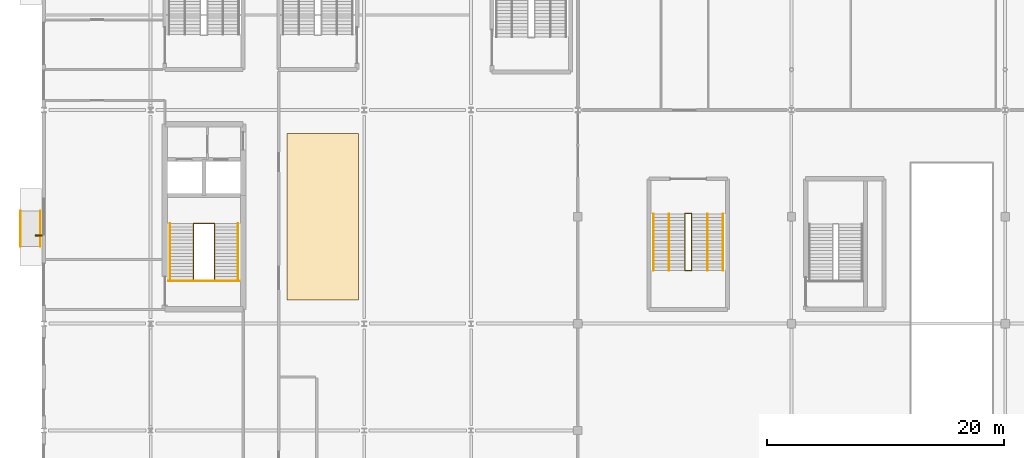
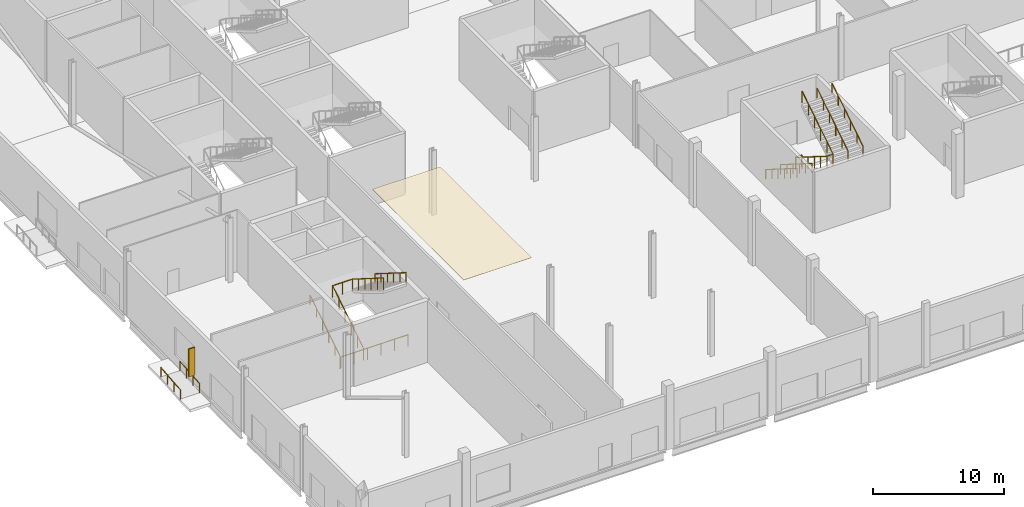
# One storey, part 68 of 84: 12 railings, 1 covering, 1 shading device.
"""IFC4 building model written with IfcOpenShell, lengths in metres."""

from ifc_helpers import new_model, si_unit, direction, frame, origin, origin_2d, place, context, subcontext, project, spatial, polyline, rectangle, circle, outline, extrude, material, layer, layer_set, type_object, element, save


model = new_model("IFC4")

# Units and contexts
model_context = context("Model", 3, precision=1e-05, world=origin(), true_north=direction((0.0, 1.0)))
body_context = subcontext(model_context, "Body", "Model", "MODEL_VIEW")
ifc_project = project(units=[si_unit("LENGTHUNIT", "METRE"), si_unit("AREAUNIT", "SQUARE_METRE"), si_unit("VOLUMEUNIT", "CUBIC_METRE"), si_unit("PLANEANGLEUNIT", "RADIAN"), si_unit("MASSUNIT", "GRAM", prefix="KILO")], contexts=[model_context])

# Site, building, storey
site_placement = place(None, origin())
site = spatial("IfcSite", under=ifc_project, at=site_placement, CompositionType="ELEMENT")
building_placement = place(site_placement, origin())
building = spatial("IfcBuilding", under=site, at=building_placement, Name="Kisiwana Market Hall", CompositionType="ELEMENT")
storey_placement = place(building_placement, origin())
storey = spatial("IfcBuildingStorey", under=building, at=storey_placement, Name="L00", CompositionType="ELEMENT", Elevation=0.0)

# Covering
ifc_material_1 = material(Name="Mineral-fibre acoustic ceiling board")
ifc_layer = layer(ifc_material_1, 0.02490234375)
ifc_layer_set = layer_set([ifc_layer], Name="COV-CEIL-AC")
covering_type = type_object("IfcCoveringType", Name="COV-CEIL-AC", PredefinedType="CEILING", material=ifc_layer_set)
covering_placement = place(storey_placement, frame((0.0, 0.0, 5.72509765625)))
element("IfcCovering", 1, at=covering_placement, inside=storey, type_object=covering_type, Name="Acoustic ceiling grid L00-004", PredefinedType="CEILING", context=body_context, shape_type="SweptSolid", body=[
    extrude(outline(polyline([(20.5, 20.0), (26.5, 20.0), (26.5, 34.0), (20.5, 34.0), (20.5, 20.0)])), origin(), (0.0, 0.0, 1.0), 0.02490234375),
])

# Railings
ifc_material_2 = material(Name="Steel S275", Category="steel")
railing_type_1 = type_object("IfcRailingType", Name="RL-GUARD-1100", PredefinedType="GUARDRAIL", material=ifc_material_2)
railing_1_placement = place(storey_placement, frame((12.625, 21.674560546875, 0.0)))
element("IfcRailing", 2, at=railing_1_placement, inside=storey, type_object=railing_type_1, Name="Stair ST-W2-L00 inner-well guardrail (RL-147)", PredefinedType="GUARDRAIL", context=body_context, shape_type="SweptSolid", body=[
    extrude(circle(Radius=0.02392578125, at=origin_2d()), frame((0.0, 0.0, 1.076171875), z_axis=(0.0, 0.845995810448, 0.533189542944), x_axis=(-1.0, 0.0, 0.0)), (0.0, 0.0, 1.0), 5.62646484375),
    extrude(circle(Radius=0.02392578125, at=origin_2d()), frame((0.0, 4.760009765625, 4.076171875), z_axis=(1.0, 0.0, 0.0), x_axis=(0.0, 1.0, 0.0)), (0.0, 0.0, 1.0), 1.75),
    extrude(circle(Radius=0.02392578125, at=origin_2d()), frame((1.75, 4.760009765625, 4.076171875), z_axis=(0.0, -0.845995810448, 0.533189542944), x_axis=(1.0, 0.0, 0.0)), (0.0, 0.0, 1.0), 5.62646484375),
    extrude(circle(Radius=0.02099609375, at=origin_2d()), origin(), (0.0, 0.0, 1.0), 1.052001953125),
    extrude(circle(Radius=0.02099609375, at=origin_2d()), frame((0.0, 0.951904296875, 0.60009765625)), (0.0, 0.0, 1.0), 1.052001953125),
    extrude(circle(Radius=0.02099609375, at=origin_2d()), frame((0.0, 1.904052734375, 1.199951171875)), (0.0, 0.0, 1.0), 1.052001953125),
    extrude(circle(Radius=0.02099609375, at=origin_2d()), frame((0.0, 2.85595703125, 1.800048828125)), (0.0, 0.0, 1.0), 1.052001953125),
    extrude(circle(Radius=0.02099609375, at=origin_2d()), frame((0.0, 3.80810546875, 2.39990234375)), (0.0, 0.0, 1.0), 1.052001953125),
    extrude(circle(Radius=0.02099609375, at=origin_2d()), frame((0.0, 4.760009765625, 3.0)), (0.0, 0.0, 1.0), 1.052001953125),
    extrude(circle(Radius=0.02099609375, at=origin_2d()), frame((0.875, 4.760009765625, 3.0)), (0.0, 0.0, 1.0), 1.052001953125),
    extrude(circle(Radius=0.02099609375, at=origin_2d()), frame((1.75, 4.760009765625, 3.0)), (0.0, 0.0, 1.0), 1.052001953125),
    extrude(circle(Radius=0.02099609375, at=origin_2d()), frame((1.75, 3.80810546875, 3.60009765625)), (0.0, 0.0, 1.0), 1.052001953125),
    extrude(circle(Radius=0.02099609375, at=origin_2d()), frame((1.75, 2.85595703125, 4.199951171875)), (0.0, 0.0, 1.0), 1.052001953125),
    extrude(circle(Radius=0.02099609375, at=origin_2d()), frame((1.75, 1.904052734375, 4.800048828125)), (0.0, 0.0, 1.0), 1.052001953125),
    extrude(circle(Radius=0.02099609375, at=origin_2d()), frame((1.75, 0.951904296875, 5.39990234375)), (0.0, 0.0, 1.0), 1.052001953125),
    extrude(circle(Radius=0.02099609375, at=origin_2d()), frame((1.75, 0.0, 6.0)), (0.0, 0.0, 1.0), 1.052001953125),
])
railing_2_placement = place(storey_placement, frame((10.5048828125, 21.594482421875, 0.0)))
element("IfcRailing", 3, at=railing_2_placement, inside=storey, type_object=railing_type_1, Name="Stair ST-W2-L00 landing edge guardrail (RL-150)", PredefinedType="GUARDRAIL", context=body_context, shape_type="SweptSolid", body=[
    extrude(circle(Radius=0.02392578125, at=origin_2d()), frame((0.0, 0.0, 1.076171875), z_axis=(1.0, 0.0, 0.0), x_axis=(0.0, 1.0, 0.0)), (0.0, 0.0, 1.0), 5.990234375),
    extrude(circle(Radius=0.02099609375, at=origin_2d()), origin(), (0.0, 0.0, 1.0), 1.052001953125),
    extrude(circle(Radius=0.02099609375, at=origin_2d()), frame((1.197998046875, 0.0, 0.0)), (0.0, 0.0, 1.0), 1.052001953125),
    extrude(circle(Radius=0.02099609375, at=origin_2d()), frame((2.39599609375, 0.0, 0.0)), (0.0, 0.0, 1.0), 1.052001953125),
    extrude(circle(Radius=0.02099609375, at=origin_2d()), frame((3.59423828125, 0.0, 0.0)), (0.0, 0.0, 1.0), 1.052001953125),
    extrude(circle(Radius=0.02099609375, at=origin_2d()), frame((4.792236328125, 0.0, 0.0)), (0.0, 0.0, 1.0), 1.052001953125),
    extrude(circle(Radius=0.02099609375, at=origin_2d()), frame((5.990234375, 0.0, 0.0)), (0.0, 0.0, 1.0), 1.052001953125),
])
railing_3_placement = place(storey_placement, frame((54.02001953125, 27.239990234375, 0.0)))
element("IfcRailing", 4, at=railing_3_placement, inside=storey, type_object=railing_type_1, Name="Stair ST-S3-L00 inner-well guardrail (RL-263)", PredefinedType="GUARDRAIL", context=body_context, shape_type="SweptSolid", body=[
    extrude(circle(Radius=0.02392578125, at=origin_2d()), frame((0.0, 0.0, 1.076171875), z_axis=(0.0, -0.845995810448, 0.533189542944), x_axis=(1.0, 0.0, 0.0)), (0.0, 0.0, 1.0), 5.62646484375),
    extrude(circle(Radius=0.02392578125, at=origin_2d()), frame((0.0, -4.760009765625, 4.076171875), z_axis=(1.0, 0.0, 0.0), x_axis=(0.0, 1.0, 0.0)), (0.0, 0.0, 1.0), 0.56005859375),
    extrude(circle(Radius=0.02392578125, at=origin_2d()), frame((0.56005859375, -4.760009765625, 4.076171875), z_axis=(0.0, 0.845995810448, 0.533189542944), x_axis=(-1.0, 0.0, 0.0)), (0.0, 0.0, 1.0), 5.62646484375),
    extrude(circle(Radius=0.02099609375, at=origin_2d()), origin(), (0.0, 0.0, 1.0), 1.052001953125),
    extrude(circle(Radius=0.02099609375, at=origin_2d()), frame((0.0, -0.951904296875, 0.60009765625)), (0.0, 0.0, 1.0), 1.052001953125),
    extrude(circle(Radius=0.02099609375, at=origin_2d()), frame((0.0, -1.904052734375, 1.199951171875)), (0.0, 0.0, 1.0), 1.052001953125),
    extrude(circle(Radius=0.02099609375, at=origin_2d()), frame((0.0, -2.85595703125, 1.800048828125)), (0.0, 0.0, 1.0), 1.052001953125),
    extrude(circle(Radius=0.02099609375, at=origin_2d()), frame((0.0, -3.80810546875, 2.39990234375)), (0.0, 0.0, 1.0), 1.052001953125),
    extrude(circle(Radius=0.02099609375, at=origin_2d()), frame((0.0, -4.760009765625, 3.0)), (0.0, 0.0, 1.0), 1.052001953125),
    extrude(circle(Radius=0.02099609375, at=origin_2d()), frame((0.56005859375, -4.760009765625, 3.0)), (0.0, 0.0, 1.0), 1.052001953125),
    extrude(circle(Radius=0.02099609375, at=origin_2d()), frame((0.56005859375, -3.80810546875, 3.60009765625)), (0.0, 0.0, 1.0), 1.052001953125),
    extrude(circle(Radius=0.02099609375, at=origin_2d()), frame((0.56005859375, -2.85595703125, 4.199951171875)), (0.0, 0.0, 1.0), 1.052001953125),
    extrude(circle(Radius=0.02099609375, at=origin_2d()), frame((0.56005859375, -1.904052734375, 4.800048828125)), (0.0, 0.0, 1.0), 1.052001953125),
    extrude(circle(Radius=0.02099609375, at=origin_2d()), frame((0.56005859375, -0.951904296875, 5.39990234375)), (0.0, 0.0, 1.0), 1.052001953125),
    extrude(circle(Radius=0.02099609375, at=origin_2d()), frame((0.56005859375, 0.0, 6.0)), (0.0, 0.0, 1.0), 1.052001953125),
])
railing_4_placement = place(storey_placement, frame((54.02001953125, 27.2900390625, 0.0)))
element("IfcRailing", 5, at=railing_4_placement, inside=storey, type_object=railing_type_1, Name="Stair ST-S3-L00 landing edge guardrail (RL-268)", PredefinedType="GUARDRAIL", context=body_context, shape_type="SweptSolid", body=[
    extrude(circle(Radius=0.02392578125, at=origin_2d()), frame((0.0, 0.0, 1.076171875), z_axis=(1.0, 0.0, 0.0), x_axis=(0.0, 1.0, 0.0)), (0.0, 0.0, 1.0), 0.56005859375),
    extrude(circle(Radius=0.02099609375, at=origin_2d()), origin(), (0.0, 0.0, 1.0), 1.052001953125),
    extrude(circle(Radius=0.02099609375, at=origin_2d()), frame((0.56005859375, 0.0, 0.0)), (0.0, 0.0, 1.0), 1.052001953125),
])
ifc_material_3 = material(Name="Steel S275", Category="steel")
railing_type_2 = type_object("IfcRailingType", Name="RL-HAND-900", PredefinedType="HANDRAIL", material=ifc_material_3)
for number, where, name in (
    (6, (-1.93994140625, 24.5, -0.25), "West Market South Ramp handrail L 900 RL-001"),
    (7, (-0.260009765625, 24.5, -0.25), "West Market South Ramp handrail R 900 RL-002"),
):
    element("IfcRailing", number, at=place(storey_placement, frame(where)), inside=storey, type_object=railing_type_2, Name=name, PredefinedType="HANDRAIL", context=body_context, shape_type="SweptSolid", body=[
        extrude(circle(Radius=0.02392578125, at=origin_2d()), frame((0.0, 0.0, 0.8759765625), z_axis=(0.0, 0.996545758245, 0.083045479854), x_axis=(-1.0, 0.0, 0.0)), (0.0, 0.0, 1.0), 3.010498046875),
        extrude(circle(Radius=0.02099609375, at=origin_2d()), origin(), (0.0, 0.0, 1.0), 0.851806640625),
        extrude(circle(Radius=0.02099609375, at=origin_2d()), frame((0.0, 1.0, 0.083251953125)), (0.0, 0.0, 1.0), 0.851806640625),
        extrude(circle(Radius=0.02099609375, at=origin_2d()), frame((0.0, 2.0, 0.166748046875)), (0.0, 0.0, 1.0), 0.851806640625),
        extrude(circle(Radius=0.02099609375, at=origin_2d()), frame((0.0, 3.0, 0.25)), (0.0, 0.0, 1.0), 0.851806640625),
    ])
railing_5_placement = place(storey_placement, frame((10.635009765625, 21.674560546875, 0.0)))
element("IfcRailing", 8, at=railing_5_placement, inside=storey, type_object=railing_type_2, Name="Stair ST-W2-L00 flight 1 handrail (RL-148)", PredefinedType="HANDRAIL", context=body_context, shape_type="SweptSolid", body=[
    extrude(circle(Radius=0.02392578125, at=origin_2d()), frame((0.0, 0.0, 0.8759765625), z_axis=(0.0, 0.845995810448, 0.533189542944), x_axis=(-1.0, 0.0, 0.0)), (0.0, 0.0, 1.0), 5.62646484375),
    extrude(circle(Radius=0.02099609375, at=origin_2d()), origin(), (0.0, 0.0, 1.0), 0.851806640625),
    extrude(circle(Radius=0.02099609375, at=origin_2d()), frame((0.0, 0.951904296875, 0.60009765625)), (0.0, 0.0, 1.0), 0.851806640625),
    extrude(circle(Radius=0.02099609375, at=origin_2d()), frame((0.0, 1.904052734375, 1.199951171875)), (0.0, 0.0, 1.0), 0.851806640625),
    extrude(circle(Radius=0.02099609375, at=origin_2d()), frame((0.0, 2.85595703125, 1.800048828125)), (0.0, 0.0, 1.0), 0.851806640625),
    extrude(circle(Radius=0.02099609375, at=origin_2d()), frame((0.0, 3.80810546875, 2.39990234375)), (0.0, 0.0, 1.0), 0.851806640625),
    extrude(circle(Radius=0.02099609375, at=origin_2d()), frame((0.0, 4.760009765625, 3.0)), (0.0, 0.0, 1.0), 0.851806640625),
])
for number, where, name in (
    (9, (16.364990234375, 26.4345703125, 3.0), "Stair ST-W2-L00 flight 2 handrail (RL-149)"),
    (10, (51.3701171875, 27.239990234375, 0.0), "Stair ST-S3-L00 flight 1 handrail (RL-264)"),
):
    element("IfcRailing", number, at=place(storey_placement, frame(where)), inside=storey, type_object=railing_type_2, Name=name, PredefinedType="HANDRAIL", context=body_context, shape_type="SweptSolid", body=[
        extrude(circle(Radius=0.02392578125, at=origin_2d()), frame((0.0, 0.0, 0.8759765625), z_axis=(0.0, -0.845995810448, 0.533189542944), x_axis=(1.0, 0.0, 0.0)), (0.0, 0.0, 1.0), 5.62646484375),
        extrude(circle(Radius=0.02099609375, at=origin_2d()), origin(), (0.0, 0.0, 1.0), 0.851806640625),
        extrude(circle(Radius=0.02099609375, at=origin_2d()), frame((0.0, -0.951904296875, 0.60009765625)), (0.0, 0.0, 1.0), 0.851806640625),
        extrude(circle(Radius=0.02099609375, at=origin_2d()), frame((0.0, -1.904052734375, 1.199951171875)), (0.0, 0.0, 1.0), 0.851806640625),
        extrude(circle(Radius=0.02099609375, at=origin_2d()), frame((0.0, -2.85595703125, 1.800048828125)), (0.0, 0.0, 1.0), 0.851806640625),
        extrude(circle(Radius=0.02099609375, at=origin_2d()), frame((0.0, -3.80810546875, 2.39990234375)), (0.0, 0.0, 1.0), 0.851806640625),
        extrude(circle(Radius=0.02099609375, at=origin_2d()), frame((0.0, -4.760009765625, 3.0)), (0.0, 0.0, 1.0), 0.851806640625),
    ])
railing_6_placement = place(storey_placement, frame((57.22998046875, 22.47998046875, 3.0)))
element("IfcRailing", 11, at=railing_6_placement, inside=storey, type_object=railing_type_2, Name="Stair ST-S3-L00 flight 2 handrail (RL-265)", PredefinedType="HANDRAIL", context=body_context, shape_type="SweptSolid", body=[
    extrude(circle(Radius=0.02392578125, at=origin_2d()), frame((0.0, 0.0, 0.8759765625), z_axis=(0.0, 0.845995810448, 0.533189542944), x_axis=(-1.0, 0.0, 0.0)), (0.0, 0.0, 1.0), 5.62646484375),
    extrude(circle(Radius=0.02099609375, at=origin_2d()), origin(), (0.0, 0.0, 1.0), 0.851806640625),
    extrude(circle(Radius=0.02099609375, at=origin_2d()), frame((0.0, 0.951904296875, 0.60009765625)), (0.0, 0.0, 1.0), 0.851806640625),
    extrude(circle(Radius=0.02099609375, at=origin_2d()), frame((0.0, 1.904052734375, 1.199951171875)), (0.0, 0.0, 1.0), 0.851806640625),
    extrude(circle(Radius=0.02099609375, at=origin_2d()), frame((0.0, 2.85595703125, 1.800048828125)), (0.0, 0.0, 1.0), 0.851806640625),
    extrude(circle(Radius=0.02099609375, at=origin_2d()), frame((0.0, 3.80810546875, 2.39990234375)), (0.0, 0.0, 1.0), 0.851806640625),
    extrude(circle(Radius=0.02099609375, at=origin_2d()), frame((0.0, 4.760009765625, 3.0)), (0.0, 0.0, 1.0), 0.851806640625),
])
railing_7_placement = place(storey_placement, frame((52.68994140625, 27.239990234375, 0.0)))
element("IfcRailing", 12, at=railing_7_placement, inside=storey, type_object=railing_type_2, Name="Stair ST-S3-L00 flight 1 intermediate handrail (RL-266)", PredefinedType="HANDRAIL", context=body_context, shape_type="SweptSolid", body=[
    extrude(circle(Radius=0.02392578125, at=origin_2d()), frame((0.0, 0.0, 0.8759765625), z_axis=(0.0, -0.845995810448, 0.533189542944), x_axis=(1.0, 0.0, 0.0)), (0.0, 0.0, 1.0), 5.62646484375),
    extrude(circle(Radius=0.02099609375, at=origin_2d()), origin(), (0.0, 0.0, 1.0), 0.851806640625),
    extrude(circle(Radius=0.02099609375, at=origin_2d()), frame((0.0, -0.951904296875, 0.60009765625)), (0.0, 0.0, 1.0), 0.851806640625),
    extrude(circle(Radius=0.02099609375, at=origin_2d()), frame((0.0, -1.904052734375, 1.199951171875)), (0.0, 0.0, 1.0), 0.851806640625),
    extrude(circle(Radius=0.02099609375, at=origin_2d()), frame((0.0, -2.85595703125, 1.800048828125)), (0.0, 0.0, 1.0), 0.851806640625),
    extrude(circle(Radius=0.02099609375, at=origin_2d()), frame((0.0, -3.80810546875, 2.39990234375)), (0.0, 0.0, 1.0), 0.851806640625),
    extrude(circle(Radius=0.02099609375, at=origin_2d()), frame((0.0, -4.760009765625, 3.0)), (0.0, 0.0, 1.0), 0.851806640625),
])
railing_8_placement = place(storey_placement, frame((55.909912109375, 22.47998046875, 3.0)))
element("IfcRailing", 13, at=railing_8_placement, inside=storey, type_object=railing_type_2, Name="Stair ST-S3-L00 flight 2 intermediate handrail (RL-267)", PredefinedType="HANDRAIL", context=body_context, shape_type="SweptSolid", body=[
    extrude(circle(Radius=0.02392578125, at=origin_2d()), frame((0.0, 0.0, 0.8759765625), z_axis=(0.0, 0.845995810448, 0.533189542944), x_axis=(-1.0, 0.0, 0.0)), (0.0, 0.0, 1.0), 5.62646484375),
    extrude(circle(Radius=0.02099609375, at=origin_2d()), origin(), (0.0, 0.0, 1.0), 0.851806640625),
    extrude(circle(Radius=0.02099609375, at=origin_2d()), frame((0.0, 0.951904296875, 0.60009765625)), (0.0, 0.0, 1.0), 0.851806640625),
    extrude(circle(Radius=0.02099609375, at=origin_2d()), frame((0.0, 1.904052734375, 1.199951171875)), (0.0, 0.0, 1.0), 0.851806640625),
    extrude(circle(Radius=0.02099609375, at=origin_2d()), frame((0.0, 2.85595703125, 1.800048828125)), (0.0, 0.0, 1.0), 0.851806640625),
    extrude(circle(Radius=0.02099609375, at=origin_2d()), frame((0.0, 3.80810546875, 2.39990234375)), (0.0, 0.0, 1.0), 0.851806640625),
    extrude(circle(Radius=0.02099609375, at=origin_2d()), frame((0.0, 4.760009765625, 3.0)), (0.0, 0.0, 1.0), 0.851806640625),
])

# Shading device
ifc_material_4 = material(Name="Aluminium alloy 6063-T6", Category="aluminium")
shading_device_type = type_object("IfcShadingDeviceType", Name="SHD-SHUTTER-V", PredefinedType="SHUTTER", material=ifc_material_4)
shading_device_placement = place(storey_placement, frame((-0.419921875, 25.419921875, 0.849853515625), z_axis=(0.0, 0.0, 1.0), x_axis=(0.0, 1.0, 0.0)))
element("IfcShadingDevice", 14, at=shading_device_placement, inside=storey, type_object=shading_device_type, Name="Vertical solar fin SHD-001 SD-001", PredefinedType="SHUTTER", context=body_context, shape_type="SweptSolid", body=[
    extrude(rectangle(XDim=0.1201171875, YDim=0.550048828125, at=origin_2d()), origin(), (0.0, 0.0, 1.0), 2.60009765625),
])

save(model, "model.ifc")
